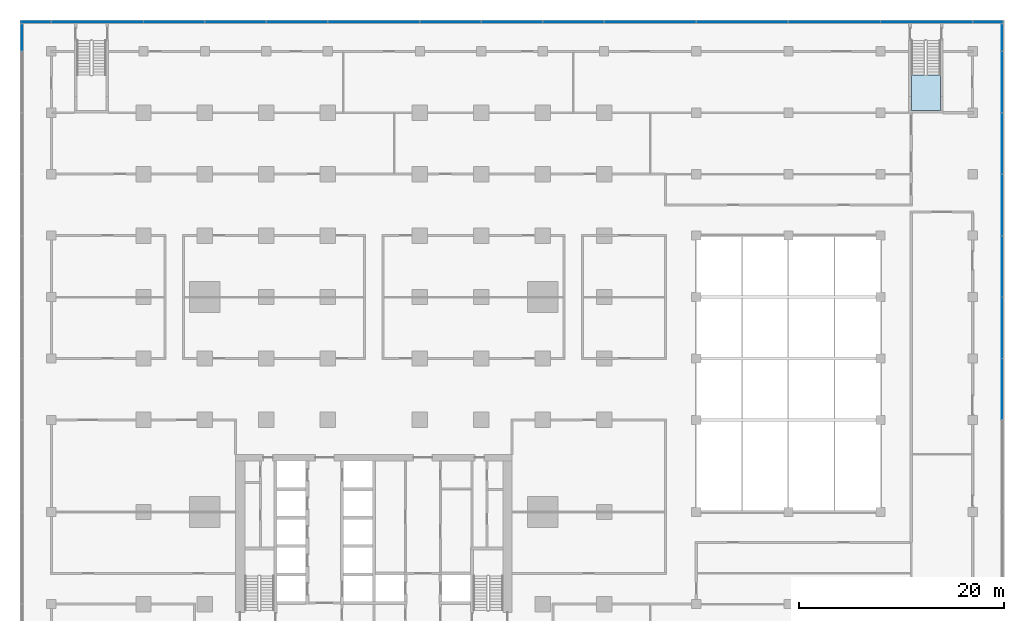
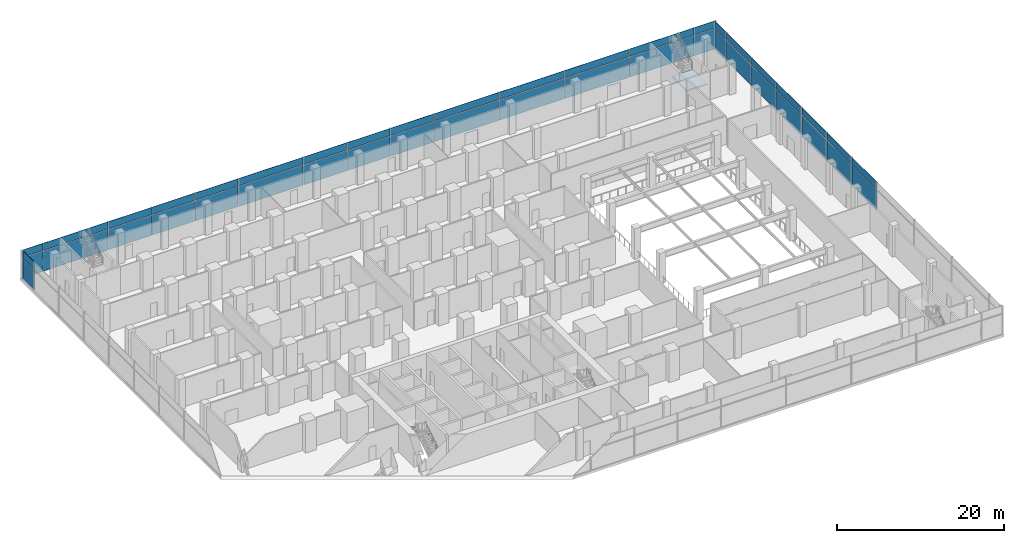
# One storey, part 11 of 22: 44 plates, 1 slab, 4 elements without a shape of their own.
"""IFC4 building model written with IfcOpenShell, lengths in metres."""

import ifcopenshell
import ifcopenshell.guid

model = None  # the IFC model being written
_history = None  # IfcOwnerHistory: only IFC2X3 demands one
_inside = {}  # id of a spatial element -> (the spatial element, [elements in it])
_under = {}  # id of a project, library or spatial element -> (it, [spatial elements below it])
_declared = {}  # id of a project -> (the project, [libraries it declares])
_typed = {}  # id of a type object -> (the type object, [elements of that type])
_made_of = {}  # id of a material, layer set ... -> (it, [elements and type objects made of it])


def new_model(schema):
    """Start an empty IFC model of exactly this schema.

    Asked for "IFC4X3", IfcOpenShell would pick the latest addendum, in which some entities
    have other attributes; the version numbers below select the first issue.
    IFC2X3 requires an IfcOwnerHistory on every rooted entity: one is made here for all.
    """
    global model, _history
    if schema == "IFC4X3":
        model = ifcopenshell.file(schema_version=(4, 3, 0, 0))
    else:
        model = ifcopenshell.file(schema=schema)
    _inside.clear()
    _under.clear()
    _declared.clear()
    _typed.clear()
    _made_of.clear()
    _history = None
    if model.schema == "IFC2X3":
        org = make("IfcOrganization", Name="unknown")
        user = make(
            "IfcPersonAndOrganization",
            ThePerson=make("IfcPerson", FamilyName="unknown"),
            TheOrganization=org,
        )
        app = make(
            "IfcApplication",
            ApplicationDeveloper=org,
            Version="unknown",
            ApplicationFullName="unknown",
            ApplicationIdentifier="unknown",
        )
        _history = make(
            "IfcOwnerHistory",
            OwningUser=user,
            OwningApplication=app,
            ChangeAction="ADDED",
            CreationDate=0,
        )
    return model


def make(cls, **values):
    """One entity of the class cls with the attributes given. An attribute that is None is left unset."""
    return model.create_entity(
        cls, **{name: value for name, value in values.items() if value is not None}
    )


def rooted(cls, **values):
    """An entity with a GlobalId (a new one), such as an element, a storey or a relation."""
    return make(cls, GlobalId=ifcopenshell.guid.new(), OwnerHistory=_history, **values)


def si_unit(unit_type, name, prefix=None):
    """IfcSIUnit, for example si_unit("LENGTHUNIT", "METRE", prefix="MILLI")."""
    return make("IfcSIUnit", UnitType=unit_type, Prefix=prefix, Name=name)


def assignment(units):
    """IfcUnitAssignment: the units of a project."""
    return None if units is None else make("IfcUnitAssignment", Units=units)


def point(xyz):
    """IfcCartesianPoint."""
    return None if xyz is None else make("IfcCartesianPoint", Coordinates=xyz)


def direction(xyz):
    """IfcDirection."""
    return None if xyz is None else make("IfcDirection", DirectionRatios=xyz)


def frame(location, z_axis=None, x_axis=None):
    """IfcAxis2Placement3D, a coordinate frame: its origin and axes. An axis left out is left unset."""
    return make(
        "IfcAxis2Placement3D",
        Location=point(location),
        Axis=direction(z_axis),
        RefDirection=direction(x_axis),
    )


def frame_2d(location, x_axis=None):
    """IfcAxis2Placement2D, a coordinate frame in the plane: its origin and x axis."""
    return make(
        "IfcAxis2Placement2D", Location=point(location), RefDirection=direction(x_axis)
    )


def origin():
    """The frame at (0, 0, 0) with its axes left unset."""
    return frame((0.0, 0.0, 0.0))


def origin_2d():
    """The frame at (0, 0) in the plane with its x axis left unset."""
    return frame_2d((0.0, 0.0))


def place(relative_to, where):
    """IfcLocalPlacement: puts the frame where relative to a parent placement (None: the world)."""
    return make(
        "IfcLocalPlacement", PlacementRelTo=relative_to, RelativePlacement=where
    )


def context(
    kind, dimensions, precision=None, world=None, true_north=None, identifier=None
):
    """IfcGeometricRepresentationContext, for example the 3D "Model" context."""
    return make(
        "IfcGeometricRepresentationContext",
        ContextIdentifier=identifier,
        ContextType=kind,
        CoordinateSpaceDimension=dimensions,
        Precision=precision,
        WorldCoordinateSystem=world,
        TrueNorth=true_north,
    )


def subcontext(parent, identifier, kind, view, scale=None):
    """IfcGeometricRepresentationSubContext, for example "Body" below "Model"."""
    return make(
        "IfcGeometricRepresentationSubContext",
        ContextIdentifier=identifier,
        ContextType=kind,
        ParentContext=parent,
        TargetScale=scale,
        TargetView=view,
    )


def project(units=None, contexts=None):
    """IfcProject with its units and contexts."""
    return rooted(
        "IfcProject",
        Name="project",
        RepresentationContexts=contexts,
        UnitsInContext=assignment(units),
    )


def spatial(cls, under=None, at=None, **own):
    """A site, building, storey or space (cls), placed at a placement, below another one or the project."""
    s = rooted(cls, ObjectPlacement=at, **own)
    if under is not None:
        _under.setdefault(under.id(), (under, []))[1].append(s)
    return s


def polyline(points):
    """IfcPolyline through the points."""
    return make("IfcPolyline", Points=[point(p) for p in points])


def profile(cls, at=None, kind="AREA", **sizes):
    """A parametric profile (cls). Its sizes go by their IFC names, for example OverallWidth=200.0."""
    return make(cls, ProfileType=kind, Position=at, **sizes)


def rectangle(**sizes):
    """IfcRectangleProfileDef."""
    return profile("IfcRectangleProfileDef", **sizes)


def outline(outer, holes=None, kind="AREA"):
    """IfcArbitraryClosedProfileDef: a profile drawn as a closed curve; with holes, ...WithVoids."""
    if holes is None:
        return make("IfcArbitraryClosedProfileDef", ProfileType=kind, OuterCurve=outer)
    return make(
        "IfcArbitraryProfileDefWithVoids",
        ProfileType=kind,
        OuterCurve=outer,
        InnerCurves=holes,
    )


def extrude(swept, where, along, depth):
    """IfcExtrudedAreaSolid: the profile swept, set in the frame where, extruded along a direction by depth."""
    return make(
        "IfcExtrudedAreaSolid",
        SweptArea=swept,
        Position=where,
        ExtrudedDirection=direction(along),
        Depth=depth,
    )


def shape(context_of_items, identifier, shape_type, items):
    """IfcShapeRepresentation: the items that make up one representation, for example the "Body"."""
    return make(
        "IfcShapeRepresentation",
        ContextOfItems=context_of_items,
        RepresentationIdentifier=identifier,
        RepresentationType=shape_type,
        Items=items,
    )


def material(Name=None, Category=None):
    """IfcMaterial."""
    return make("IfcMaterial", Name=Name, Category=Category)


def layer(
    of_material, thickness, ventilated=None, Name=None, Category=None, Priority=None
):
    """IfcMaterialLayer: one layer of a wall or slab, of a material (None: an air gap)."""
    return make(
        "IfcMaterialLayer",
        Material=of_material,
        LayerThickness=thickness,
        IsVentilated=ventilated,
        Name=Name,
        Category=Category,
        Priority=Priority,
    )


def layer_set(layers, Name=None):
    """IfcMaterialLayerSet."""
    return make("IfcMaterialLayerSet", MaterialLayers=layers, LayerSetName=Name)


def made_of(thing, what):
    """Note that an element or type object is made of a material, layer set ...; save() writes the relation."""
    if what is not None:
        _made_of.setdefault(what.id(), (what, []))[1].append(thing)
    return thing


def type_object(cls, material=None, **own):
    """A type object (cls), such as IfcWallType, which elements share."""
    return made_of(rooted(cls, **own), material)


def element(
    cls,
    number,
    at=None,
    inside=None,
    cuts=None,
    type_object=None,
    material=None,
    context=None,
    identifier="Body",
    shape_type=None,
    held_by="IfcProductDefinitionShape",
    body=None,
    shapes=None,
    **own,
):
    """One element of the class cls, such as IfcWall. Its Tag is "e" and its number.

    at: its placement. inside: the storey or other place that contains it. cuts: it is an
    opening in that element (IfcRelVoidsElement). A single representation is given by context,
    identifier, shape_type and body (its items); several are given by shapes. held_by: the class
    of the entity that holds the representations. save() writes the other relations.
    """
    e = rooted(cls, Tag="e%d" % number, ObjectPlacement=at, **own)
    if body is not None:
        shapes = [shape(context, identifier, shape_type, body)]
    if shapes is not None:
        e.Representation = make(held_by, Representations=shapes)
    if inside is not None:
        _inside.setdefault(inside.id(), (inside, []))[1].append(e)
    if cuts is not None:
        rooted(
            "IfcRelVoidsElement", RelatingBuildingElement=cuts, RelatedOpeningElement=e
        )
    if type_object is not None:
        _typed.setdefault(type_object.id(), (type_object, []))[1].append(e)
    return made_of(e, material)


def aggregate(whole, parts):
    """IfcRelAggregates: a whole, such as a stair, and the parts it consists of."""
    return rooted("IfcRelAggregates", RelatingObject=whole, RelatedObjects=parts)


def save(model, path):
    """Write the relations noted so far, then the file.

    IfcRelAggregates (storeys below a building ...), IfcRelContainedInSpatialStructure (elements
    in a storey), IfcRelDefinesByType, IfcRelAssociatesMaterial and IfcRelDeclares: one each for
    every whole, place, type object, material and project.
    """
    for whole, parts in _under.values():
        aggregate(whole, parts)
    for where, things in _inside.values():
        rooted(
            "IfcRelContainedInSpatialStructure",
            RelatedElements=things,
            RelatingStructure=where,
        )
    for kind, things in _typed.values():
        rooted("IfcRelDefinesByType", RelatedObjects=things, RelatingType=kind)
    for what, things in _made_of.values():
        rooted("IfcRelAssociatesMaterial", RelatedObjects=things, RelatingMaterial=what)
    for by, libraries in _declared.values():
        rooted("IfcRelDeclares", RelatingContext=by, RelatedDefinitions=libraries)
    model.write(path)


model = new_model("IFC4")

# Units and contexts
model_context = context("Model", 3, precision=1e-05, world=origin(), true_north=direction((0.0, 1.0)))
body_context = subcontext(model_context, "Body", "Model", "MODEL_VIEW")
ifc_project = project(units=[si_unit("LENGTHUNIT", "METRE"), si_unit("AREAUNIT", "SQUARE_METRE"), si_unit("VOLUMEUNIT", "CUBIC_METRE"), si_unit("PLANEANGLEUNIT", "RADIAN"), si_unit("MASSUNIT", "GRAM", prefix="KILO")], contexts=[model_context])

# Site, building, storey
site_placement = place(None, origin())
site = spatial("IfcSite", under=ifc_project, at=site_placement, CompositionType="ELEMENT")
building_placement = place(site_placement, origin())
building = spatial("IfcBuilding", under=site, at=building_placement, Name="Finial Court Residences", CompositionType="ELEMENT")
storey_placement = place(building_placement, frame((0.0, 0.0, 28.0)))
storey = spatial("IfcBuildingStorey", under=building, at=storey_placement, Name="L05", CompositionType="ELEMENT", Elevation=28.0)

# Curtain wall, plates
ifc_material_1 = material(Name="Bronze anodised aluminium", Category="aluminium")
curtain_wall_type = type_object("IfcCurtainWallType", Name="Podium curtain wall", PredefinedType="NOTDEFINED", material=ifc_material_1)
curtain_wall_1_placement = place(storey_placement, origin())
curtain_wall_1 = element("IfcCurtainWall", 1, at=curtain_wall_1_placement, inside=storey, type_object=curtain_wall_type, Name="E-L05-CW-N1", PredefinedType="NOTDEFINED")
ifc_material_2 = material(Name="Clear low-e glass", Category="glass")
ifc_layer_1 = layer(ifc_material_2, 0.035888671875)
ifc_layer_set_1 = layer_set([ifc_layer_1], Name="CW5 vision glass 36")
plate_type = type_object("IfcPlateType", Name="CW5 vision glass 36", PredefinedType="CURTAIN_PANEL", material=ifc_layer_set_1)
plate_1_placement = place(storey_placement, frame((-32.97998046875, 34.35009765625, 0.0), z_axis=(0.0, 0.0, 1.0), x_axis=(1.0, 0.0, 0.0)))
plate_1 = element("IfcPlate", 2, at=plate_1_placement, type_object=plate_type, Name="CW5 glass 1.1", PredefinedType="CURTAIN_PANEL", context=body_context, shape_type="SweptSolid", body=[
    extrude(rectangle(XDim=2.8798828125, YDim=0.035888671875, at=origin_2d()), origin(), (0.0, 0.0, 1.0), 2.9599609375),
])
plate_2_placement = place(storey_placement, frame((-32.97998046875, 34.35009765625, 3.0400390625), z_axis=(0.0, 0.0, 1.0), x_axis=(1.0, 0.0, 0.0)))
plate_2 = element("IfcPlate", 3, at=plate_2_placement, type_object=plate_type, Name="CW5 glass 1.2", PredefinedType="CURTAIN_PANEL", context=body_context, shape_type="SweptSolid", body=[
    extrude(rectangle(XDim=2.8798828125, YDim=0.035888671875, at=origin_2d()), origin(), (0.0, 0.0, 1.0), 1.06005859375),
])
plate_3_placement = place(storey_placement, frame((-27.0, 34.35009765625, 0.0), z_axis=(0.0, 0.0, 1.0), x_axis=(1.0, 0.0, 0.0)))
plate_3 = element("IfcPlate", 4, at=plate_3_placement, type_object=plate_type, Name="CW5 glass 2.1", PredefinedType="CURTAIN_PANEL", context=body_context, shape_type="SweptSolid", body=[
    extrude(rectangle(XDim=8.919921875, YDim=0.035888671875, at=origin_2d()), origin(), (0.0, 0.0, 1.0), 2.9599609375),
])
plate_4_placement = place(storey_placement, frame((-27.0, 34.35009765625, 3.0400390625), z_axis=(0.0, 0.0, 1.0), x_axis=(1.0, 0.0, 0.0)))
plate_4 = element("IfcPlate", 5, at=plate_4_placement, type_object=plate_type, Name="CW5 glass 2.2", PredefinedType="CURTAIN_PANEL", context=body_context, shape_type="SweptSolid", body=[
    extrude(rectangle(XDim=8.919921875, YDim=0.035888671875, at=origin_2d()), origin(), (0.0, 0.0, 1.0), 1.06005859375),
])
plate_5_placement = place(storey_placement, frame((-19.5, 34.35009765625, 0.0), z_axis=(0.0, 0.0, 1.0), x_axis=(1.0, 0.0, 0.0)))
plate_5 = element("IfcPlate", 6, at=plate_5_placement, type_object=plate_type, Name="CW5 glass 3.1", PredefinedType="CURTAIN_PANEL", context=body_context, shape_type="SweptSolid", body=[
    extrude(rectangle(XDim=5.919921875, YDim=0.035888671875, at=origin_2d()), origin(), (0.0, 0.0, 1.0), 2.9599609375),
])
plate_6_placement = place(storey_placement, frame((-19.5, 34.35009765625, 3.0400390625), z_axis=(0.0, 0.0, 1.0), x_axis=(1.0, 0.0, 0.0)))
plate_6 = element("IfcPlate", 7, at=plate_6_placement, type_object=plate_type, Name="CW5 glass 3.2", PredefinedType="CURTAIN_PANEL", context=body_context, shape_type="SweptSolid", body=[
    extrude(rectangle(XDim=5.919921875, YDim=0.035888671875, at=origin_2d()), origin(), (0.0, 0.0, 1.0), 1.06005859375),
])
plate_7_placement = place(storey_placement, frame((-13.5, 34.35009765625, 0.0), z_axis=(0.0, 0.0, 1.0), x_axis=(1.0, 0.0, 0.0)))
plate_7 = element("IfcPlate", 8, at=plate_7_placement, type_object=plate_type, Name="CW5 glass 4.1", PredefinedType="CURTAIN_PANEL", context=body_context, shape_type="SweptSolid", body=[
    extrude(rectangle(XDim=5.919921875, YDim=0.035888671875, at=origin_2d()), origin(), (0.0, 0.0, 1.0), 2.9599609375),
])
plate_8_placement = place(storey_placement, frame((-13.5, 34.35009765625, 3.0400390625), z_axis=(0.0, 0.0, 1.0), x_axis=(1.0, 0.0, 0.0)))
plate_8 = element("IfcPlate", 9, at=plate_8_placement, type_object=plate_type, Name="CW5 glass 4.2", PredefinedType="CURTAIN_PANEL", context=body_context, shape_type="SweptSolid", body=[
    extrude(rectangle(XDim=5.919921875, YDim=0.035888671875, at=origin_2d()), origin(), (0.0, 0.0, 1.0), 1.06005859375),
])
plate_9_placement = place(storey_placement, frame((-7.5, 34.35009765625, 0.0), z_axis=(0.0, 0.0, 1.0), x_axis=(1.0, 0.0, 0.0)))
plate_9 = element("IfcPlate", 10, at=plate_9_placement, type_object=plate_type, Name="CW5 glass 5.1", PredefinedType="CURTAIN_PANEL", context=body_context, shape_type="SweptSolid", body=[
    extrude(rectangle(XDim=5.919921875, YDim=0.035888671875, at=origin_2d()), origin(), (0.0, 0.0, 1.0), 2.9599609375),
])
plate_10_placement = place(storey_placement, frame((-7.5, 34.35009765625, 3.0400390625), z_axis=(0.0, 0.0, 1.0), x_axis=(1.0, 0.0, 0.0)))
plate_10 = element("IfcPlate", 11, at=plate_10_placement, type_object=plate_type, Name="CW5 glass 5.2", PredefinedType="CURTAIN_PANEL", context=body_context, shape_type="SweptSolid", body=[
    extrude(rectangle(XDim=5.919921875, YDim=0.035888671875, at=origin_2d()), origin(), (0.0, 0.0, 1.0), 1.06005859375),
])
plate_11_placement = place(storey_placement, frame((0.0, 34.35009765625, 0.0), z_axis=(0.0, 0.0, 1.0), x_axis=(1.0, 0.0, 0.0)))
plate_11 = element("IfcPlate", 12, at=plate_11_placement, type_object=plate_type, Name="CW5 glass 6.1", PredefinedType="CURTAIN_PANEL", context=body_context, shape_type="SweptSolid", body=[
    extrude(rectangle(XDim=8.919921875, YDim=0.035888671875, at=origin_2d()), origin(), (0.0, 0.0, 1.0), 2.9599609375),
])
plate_12_placement = place(storey_placement, frame((0.0, 34.35009765625, 3.0400390625), z_axis=(0.0, 0.0, 1.0), x_axis=(1.0, 0.0, 0.0)))
plate_12 = element("IfcPlate", 13, at=plate_12_placement, type_object=plate_type, Name="CW5 glass 6.2", PredefinedType="CURTAIN_PANEL", context=body_context, shape_type="SweptSolid", body=[
    extrude(rectangle(XDim=8.919921875, YDim=0.035888671875, at=origin_2d()), origin(), (0.0, 0.0, 1.0), 1.06005859375),
])
plate_13_placement = place(storey_placement, frame((7.5, 34.35009765625, 0.0), z_axis=(0.0, 0.0, 1.0), x_axis=(1.0, 0.0, 0.0)))
plate_13 = element("IfcPlate", 14, at=plate_13_placement, type_object=plate_type, Name="CW5 glass 7.1", PredefinedType="CURTAIN_PANEL", context=body_context, shape_type="SweptSolid", body=[
    extrude(rectangle(XDim=5.919921875, YDim=0.035888671875, at=origin_2d()), origin(), (0.0, 0.0, 1.0), 2.9599609375),
])
plate_14_placement = place(storey_placement, frame((7.5, 34.35009765625, 3.0400390625), z_axis=(0.0, 0.0, 1.0), x_axis=(1.0, 0.0, 0.0)))
plate_14 = element("IfcPlate", 15, at=plate_14_placement, type_object=plate_type, Name="CW5 glass 7.2", PredefinedType="CURTAIN_PANEL", context=body_context, shape_type="SweptSolid", body=[
    extrude(rectangle(XDim=5.919921875, YDim=0.035888671875, at=origin_2d()), origin(), (0.0, 0.0, 1.0), 1.06005859375),
])
plate_15_placement = place(storey_placement, frame((13.5, 34.35009765625, 0.0), z_axis=(0.0, 0.0, 1.0), x_axis=(1.0, 0.0, 0.0)))
plate_15 = element("IfcPlate", 16, at=plate_15_placement, type_object=plate_type, Name="CW5 glass 8.1", PredefinedType="CURTAIN_PANEL", context=body_context, shape_type="SweptSolid", body=[
    extrude(rectangle(XDim=5.919921875, YDim=0.035888671875, at=origin_2d()), origin(), (0.0, 0.0, 1.0), 2.9599609375),
])
plate_16_placement = place(storey_placement, frame((13.5, 34.35009765625, 3.0400390625), z_axis=(0.0, 0.0, 1.0), x_axis=(1.0, 0.0, 0.0)))
plate_16 = element("IfcPlate", 17, at=plate_16_placement, type_object=plate_type, Name="CW5 glass 8.2", PredefinedType="CURTAIN_PANEL", context=body_context, shape_type="SweptSolid", body=[
    extrude(rectangle(XDim=5.919921875, YDim=0.035888671875, at=origin_2d()), origin(), (0.0, 0.0, 1.0), 1.06005859375),
])
plate_17_placement = place(storey_placement, frame((19.5, 34.35009765625, 0.0), z_axis=(0.0, 0.0, 1.0), x_axis=(1.0, 0.0, 0.0)))
plate_17 = element("IfcPlate", 18, at=plate_17_placement, type_object=plate_type, Name="CW5 glass 9.1", PredefinedType="CURTAIN_PANEL", context=body_context, shape_type="SweptSolid", body=[
    extrude(rectangle(XDim=5.919921875, YDim=0.035888671875, at=origin_2d()), origin(), (0.0, 0.0, 1.0), 2.9599609375),
])
plate_18_placement = place(storey_placement, frame((19.5, 34.35009765625, 3.0400390625), z_axis=(0.0, 0.0, 1.0), x_axis=(1.0, 0.0, 0.0)))
plate_18 = element("IfcPlate", 19, at=plate_18_placement, type_object=plate_type, Name="CW5 glass 9.2", PredefinedType="CURTAIN_PANEL", context=body_context, shape_type="SweptSolid", body=[
    extrude(rectangle(XDim=5.919921875, YDim=0.035888671875, at=origin_2d()), origin(), (0.0, 0.0, 1.0), 1.06005859375),
])
plate_19_placement = place(storey_placement, frame((27.0, 34.35009765625, 0.0), z_axis=(0.0, 0.0, 1.0), x_axis=(1.0, 0.0, 0.0)))
plate_19 = element("IfcPlate", 20, at=plate_19_placement, type_object=plate_type, Name="CW5 glass 10.1", PredefinedType="CURTAIN_PANEL", context=body_context, shape_type="SweptSolid", body=[
    extrude(rectangle(XDim=8.919921875, YDim=0.035888671875, at=origin_2d()), origin(), (0.0, 0.0, 1.0), 2.9599609375),
])
plate_20_placement = place(storey_placement, frame((27.0, 34.35009765625, 3.0400390625), z_axis=(0.0, 0.0, 1.0), x_axis=(1.0, 0.0, 0.0)))
plate_20 = element("IfcPlate", 21, at=plate_20_placement, type_object=plate_type, Name="CW5 glass 10.2", PredefinedType="CURTAIN_PANEL", context=body_context, shape_type="SweptSolid", body=[
    extrude(rectangle(XDim=8.919921875, YDim=0.035888671875, at=origin_2d()), origin(), (0.0, 0.0, 1.0), 1.06005859375),
])
plate_21_placement = place(storey_placement, frame((36.0, 34.35009765625, 0.0), z_axis=(0.0, 0.0, 1.0), x_axis=(1.0, 0.0, 0.0)))
plate_21 = element("IfcPlate", 22, at=plate_21_placement, type_object=plate_type, Name="CW5 glass 11.1", PredefinedType="CURTAIN_PANEL", context=body_context, shape_type="SweptSolid", body=[
    extrude(rectangle(XDim=8.919921875, YDim=0.035888671875, at=origin_2d()), origin(), (0.0, 0.0, 1.0), 2.9599609375),
])
plate_22_placement = place(storey_placement, frame((36.0, 34.35009765625, 3.0400390625), z_axis=(0.0, 0.0, 1.0), x_axis=(1.0, 0.0, 0.0)))
plate_22 = element("IfcPlate", 23, at=plate_22_placement, type_object=plate_type, Name="CW5 glass 11.2", PredefinedType="CURTAIN_PANEL", context=body_context, shape_type="SweptSolid", body=[
    extrude(rectangle(XDim=8.919921875, YDim=0.035888671875, at=origin_2d()), origin(), (0.0, 0.0, 1.0), 1.06005859375),
])
plate_23_placement = place(storey_placement, frame((45.0, 34.35009765625, 0.0), z_axis=(0.0, 0.0, 1.0), x_axis=(1.0, 0.0, 0.0)))
plate_23 = element("IfcPlate", 24, at=plate_23_placement, type_object=plate_type, Name="CW5 glass 12.1", PredefinedType="CURTAIN_PANEL", context=body_context, shape_type="SweptSolid", body=[
    extrude(rectangle(XDim=8.919921875, YDim=0.035888671875, at=origin_2d()), origin(), (0.0, 0.0, 1.0), 2.9599609375),
])
plate_24_placement = place(storey_placement, frame((45.0, 34.35009765625, 3.0400390625), z_axis=(0.0, 0.0, 1.0), x_axis=(1.0, 0.0, 0.0)))
plate_24 = element("IfcPlate", 25, at=plate_24_placement, type_object=plate_type, Name="CW5 glass 12.2", PredefinedType="CURTAIN_PANEL", context=body_context, shape_type="SweptSolid", body=[
    extrude(rectangle(XDim=8.919921875, YDim=0.035888671875, at=origin_2d()), origin(), (0.0, 0.0, 1.0), 1.06005859375),
])
plate_25_placement = place(storey_placement, frame((54.0, 34.35009765625, 0.0), z_axis=(0.0, 0.0, 1.0), x_axis=(1.0, 0.0, 0.0)))
plate_25 = element("IfcPlate", 26, at=plate_25_placement, type_object=plate_type, Name="CW5 glass 13.1", PredefinedType="CURTAIN_PANEL", context=body_context, shape_type="SweptSolid", body=[
    extrude(rectangle(XDim=8.919921875, YDim=0.035888671875, at=origin_2d()), origin(), (0.0, 0.0, 1.0), 2.9599609375),
])
plate_26_placement = place(storey_placement, frame((54.0, 34.35009765625, 3.0400390625), z_axis=(0.0, 0.0, 1.0), x_axis=(1.0, 0.0, 0.0)))
plate_26 = element("IfcPlate", 27, at=plate_26_placement, type_object=plate_type, Name="CW5 glass 13.2", PredefinedType="CURTAIN_PANEL", context=body_context, shape_type="SweptSolid", body=[
    extrude(rectangle(XDim=8.919921875, YDim=0.035888671875, at=origin_2d()), origin(), (0.0, 0.0, 1.0), 1.06005859375),
])
plate_27_placement = place(storey_placement, frame((59.97998046875, 34.35009765625, 0.0), z_axis=(0.0, 0.0, 1.0), x_axis=(1.0, 0.0, 0.0)))
plate_27 = element("IfcPlate", 28, at=plate_27_placement, type_object=plate_type, Name="CW5 glass 14.1", PredefinedType="CURTAIN_PANEL", context=body_context, shape_type="SweptSolid", body=[
    extrude(rectangle(XDim=2.8798828125, YDim=0.035888671875, at=origin_2d()), origin(), (0.0, 0.0, 1.0), 2.9599609375),
])
plate_28_placement = place(storey_placement, frame((59.97998046875, 34.35009765625, 3.0400390625), z_axis=(0.0, 0.0, 1.0), x_axis=(1.0, 0.0, 0.0)))
plate_28 = element("IfcPlate", 29, at=plate_28_placement, type_object=plate_type, Name="CW5 glass 14.2", PredefinedType="CURTAIN_PANEL", context=body_context, shape_type="SweptSolid", body=[
    extrude(rectangle(XDim=2.8798828125, YDim=0.035888671875, at=origin_2d()), origin(), (0.0, 0.0, 1.0), 1.06005859375),
])
aggregate(curtain_wall_1, [plate_1, plate_2, plate_3, plate_4, plate_5, plate_6, plate_7, plate_8, plate_9, plate_10, plate_11, plate_12, plate_13, plate_14, plate_15, plate_16, plate_17, plate_18, plate_19, plate_20, plate_21, plate_22, plate_23, plate_24, plate_25, plate_26, plate_27, plate_28])

curtain_wall_2_placement = place(storey_placement, origin())
curtain_wall_2 = element("IfcCurtainWall", 30, at=curtain_wall_2_placement, inside=storey, type_object=curtain_wall_type, Name="E-L05-CW-E2", PredefinedType="NOTDEFINED")
plate_29_placement = place(storey_placement, frame((61.35009765625, -1.5, 0.0), z_axis=(0.0, 0.0, 1.0), x_axis=(0.0, 1.0, 0.0)))
plate_29 = element("IfcPlate", 31, at=plate_29_placement, type_object=plate_type, Name="CW5 glass 5.1", PredefinedType="CURTAIN_PANEL", context=body_context, shape_type="SweptSolid", body=[
    extrude(rectangle(XDim=5.919921875, YDim=0.035888671875, at=origin_2d()), origin(), (0.0, 0.0, 1.0), 2.9599609375),
])
plate_30_placement = place(storey_placement, frame((61.35009765625, -1.5, 3.0400390625), z_axis=(0.0, 0.0, 1.0), x_axis=(0.0, 1.0, 0.0)))
plate_30 = element("IfcPlate", 32, at=plate_30_placement, type_object=plate_type, Name="CW5 glass 5.2", PredefinedType="CURTAIN_PANEL", context=body_context, shape_type="SweptSolid", body=[
    extrude(rectangle(XDim=5.919921875, YDim=0.035888671875, at=origin_2d()), origin(), (0.0, 0.0, 1.0), 1.06005859375),
])
plate_31_placement = place(storey_placement, frame((61.35009765625, 4.5, 0.0), z_axis=(0.0, 0.0, 1.0), x_axis=(0.0, 1.0, 0.0)))
plate_31 = element("IfcPlate", 33, at=plate_31_placement, type_object=plate_type, Name="CW5 glass 6.1", PredefinedType="CURTAIN_PANEL", context=body_context, shape_type="SweptSolid", body=[
    extrude(rectangle(XDim=5.919921875, YDim=0.035888671875, at=origin_2d()), origin(), (0.0, 0.0, 1.0), 2.9599609375),
])
plate_32_placement = place(storey_placement, frame((61.35009765625, 4.5, 3.0400390625), z_axis=(0.0, 0.0, 1.0), x_axis=(0.0, 1.0, 0.0)))
plate_32 = element("IfcPlate", 34, at=plate_32_placement, type_object=plate_type, Name="CW5 glass 6.2", PredefinedType="CURTAIN_PANEL", context=body_context, shape_type="SweptSolid", body=[
    extrude(rectangle(XDim=5.919921875, YDim=0.035888671875, at=origin_2d()), origin(), (0.0, 0.0, 1.0), 1.06005859375),
])
plate_33_placement = place(storey_placement, frame((61.35009765625, 10.5, 0.0), z_axis=(0.0, 0.0, 1.0), x_axis=(0.0, 1.0, 0.0)))
plate_33 = element("IfcPlate", 35, at=plate_33_placement, type_object=plate_type, Name="CW5 glass 7.1", PredefinedType="CURTAIN_PANEL", context=body_context, shape_type="SweptSolid", body=[
    extrude(rectangle(XDim=5.919921875, YDim=0.035888671875, at=origin_2d()), origin(), (0.0, 0.0, 1.0), 2.9599609375),
])
plate_34_placement = place(storey_placement, frame((61.35009765625, 10.5, 3.0400390625), z_axis=(0.0, 0.0, 1.0), x_axis=(0.0, 1.0, 0.0)))
plate_34 = element("IfcPlate", 36, at=plate_34_placement, type_object=plate_type, Name="CW5 glass 7.2", PredefinedType="CURTAIN_PANEL", context=body_context, shape_type="SweptSolid", body=[
    extrude(rectangle(XDim=5.919921875, YDim=0.035888671875, at=origin_2d()), origin(), (0.0, 0.0, 1.0), 1.06005859375),
])
plate_35_placement = place(storey_placement, frame((61.35009765625, 16.5, 0.0), z_axis=(0.0, 0.0, 1.0), x_axis=(0.0, 1.0, 0.0)))
plate_35 = element("IfcPlate", 37, at=plate_35_placement, type_object=plate_type, Name="CW5 glass 8.1", PredefinedType="CURTAIN_PANEL", context=body_context, shape_type="SweptSolid", body=[
    extrude(rectangle(XDim=5.919921875, YDim=0.035888671875, at=origin_2d()), origin(), (0.0, 0.0, 1.0), 2.9599609375),
])
plate_36_placement = place(storey_placement, frame((61.35009765625, 16.5, 3.0400390625), z_axis=(0.0, 0.0, 1.0), x_axis=(0.0, 1.0, 0.0)))
plate_36 = element("IfcPlate", 38, at=plate_36_placement, type_object=plate_type, Name="CW5 glass 8.2", PredefinedType="CURTAIN_PANEL", context=body_context, shape_type="SweptSolid", body=[
    extrude(rectangle(XDim=5.919921875, YDim=0.035888671875, at=origin_2d()), origin(), (0.0, 0.0, 1.0), 1.06005859375),
])
plate_37_placement = place(storey_placement, frame((61.35009765625, 22.5, 0.0), z_axis=(0.0, 0.0, 1.0), x_axis=(0.0, 1.0, 0.0)))
plate_37 = element("IfcPlate", 39, at=plate_37_placement, type_object=plate_type, Name="CW5 glass 9.1", PredefinedType="CURTAIN_PANEL", context=body_context, shape_type="SweptSolid", body=[
    extrude(rectangle(XDim=5.919921875, YDim=0.035888671875, at=origin_2d()), origin(), (0.0, 0.0, 1.0), 2.9599609375),
])
plate_38_placement = place(storey_placement, frame((61.35009765625, 22.5, 3.0400390625), z_axis=(0.0, 0.0, 1.0), x_axis=(0.0, 1.0, 0.0)))
plate_38 = element("IfcPlate", 40, at=plate_38_placement, type_object=plate_type, Name="CW5 glass 9.2", PredefinedType="CURTAIN_PANEL", context=body_context, shape_type="SweptSolid", body=[
    extrude(rectangle(XDim=5.919921875, YDim=0.035888671875, at=origin_2d()), origin(), (0.0, 0.0, 1.0), 1.06005859375),
])
plate_39_placement = place(storey_placement, frame((61.35009765625, 28.5, 0.0), z_axis=(0.0, 0.0, 1.0), x_axis=(0.0, 1.0, 0.0)))
plate_39 = element("IfcPlate", 41, at=plate_39_placement, type_object=plate_type, Name="CW5 glass 10.1", PredefinedType="CURTAIN_PANEL", context=body_context, shape_type="SweptSolid", body=[
    extrude(rectangle(XDim=5.919921875, YDim=0.035888671875, at=origin_2d()), origin(), (0.0, 0.0, 1.0), 2.9599609375),
])
plate_40_placement = place(storey_placement, frame((61.35009765625, 28.5, 3.0400390625), z_axis=(0.0, 0.0, 1.0), x_axis=(0.0, 1.0, 0.0)))
plate_40 = element("IfcPlate", 42, at=plate_40_placement, type_object=plate_type, Name="CW5 glass 10.2", PredefinedType="CURTAIN_PANEL", context=body_context, shape_type="SweptSolid", body=[
    extrude(rectangle(XDim=5.919921875, YDim=0.035888671875, at=origin_2d()), origin(), (0.0, 0.0, 1.0), 1.06005859375),
])
plate_41_placement = place(storey_placement, frame((61.35009765625, 32.8486328125, 0.0), z_axis=(0.0, 0.0, 1.0), x_axis=(0.0, 1.0, 0.0)))
plate_41 = element("IfcPlate", 43, at=plate_41_placement, type_object=plate_type, Name="CW5 glass 11.1", PredefinedType="CURTAIN_PANEL", context=body_context, shape_type="SweptSolid", body=[
    extrude(rectangle(XDim=2.617431640625, YDim=0.035888671875, at=origin_2d()), origin(), (0.0, 0.0, 1.0), 2.9599609375),
])
plate_42_placement = place(storey_placement, frame((61.35009765625, 32.8486328125, 3.0400390625), z_axis=(0.0, 0.0, 1.0), x_axis=(0.0, 1.0, 0.0)))
plate_42 = element("IfcPlate", 44, at=plate_42_placement, type_object=plate_type, Name="CW5 glass 11.2", PredefinedType="CURTAIN_PANEL", context=body_context, shape_type="SweptSolid", body=[
    extrude(rectangle(XDim=2.617431640625, YDim=0.035888671875, at=origin_2d()), origin(), (0.0, 0.0, 1.0), 1.06005859375),
])
aggregate(curtain_wall_2, [plate_29, plate_30, plate_31, plate_32, plate_33, plate_34, plate_35, plate_36, plate_37, plate_38, plate_39, plate_40, plate_41, plate_42])

curtain_wall_3_placement = place(storey_placement, origin())
curtain_wall_3 = element("IfcCurtainWall", 45, at=curtain_wall_3_placement, inside=storey, type_object=curtain_wall_type, Name="E-L05-CW-W4", PredefinedType="NOTDEFINED")
plate_43_placement = place(storey_placement, frame((-34.35009765625, 32.8486328125, 0.0), z_axis=(0.0, 0.0, 1.0), x_axis=(0.0, 1.0, 0.0)))
plate_43 = element("IfcPlate", 46, at=plate_43_placement, type_object=plate_type, Name="CW5 glass 11.1", PredefinedType="CURTAIN_PANEL", context=body_context, shape_type="SweptSolid", body=[
    extrude(rectangle(XDim=2.617431640625, YDim=0.035888671875, at=origin_2d()), origin(), (0.0, 0.0, 1.0), 2.9599609375),
])
plate_44_placement = place(storey_placement, frame((-34.35009765625, 32.8486328125, 3.0400390625), z_axis=(0.0, 0.0, 1.0), x_axis=(0.0, 1.0, 0.0)))
plate_44 = element("IfcPlate", 47, at=plate_44_placement, type_object=plate_type, Name="CW5 glass 11.2", PredefinedType="CURTAIN_PANEL", context=body_context, shape_type="SweptSolid", body=[
    extrude(rectangle(XDim=2.617431640625, YDim=0.035888671875, at=origin_2d()), origin(), (0.0, 0.0, 1.0), 1.06005859375),
])
aggregate(curtain_wall_3, [plate_43, plate_44])

# Stair, slab
ifc_material_3 = material(Name="Concrete C50/60", Category="concrete")
stair_type = type_object("IfcStairType", Name="Exit stair 26 risers of 173.1 mm", PredefinedType="HALF_TURN_STAIR", material=ifc_material_3)
stair_placement = place(storey_placement, origin())
stair = element("IfcStair", 48, at=stair_placement, inside=storey, type_object=stair_type, Name="L05 Exit Stair 5", PredefinedType="HALF_TURN_STAIR")
ifc_layer_2 = layer(ifc_material_3, 0.199951171875)
ifc_layer_set_2 = layer_set([ifc_layer_2], Name="Exit stair landing")
slab_type = type_object("IfcSlabType", Name="Exit stair landing", PredefinedType="LANDING", material=ifc_layer_set_2)
slab_placement = place(storey_placement, frame((0.0, 0.0, 2.050048828125)))
slab = element("IfcSlab", 49, at=slab_placement, type_object=slab_type, Name="ST-5 landing 1", PredefinedType="LANDING", context=body_context, shape_type="SweptSolid", body=[
    extrude(outline(polyline([(52.5, 29.18994140625), (52.5, 25.719970703125), (55.35009765625, 25.719970703125), (55.35009765625, 29.18994140625), (52.5, 29.18994140625)])), origin(), (0.0, 0.0, 1.0), 0.199951171875),
])
aggregate(stair, [slab])

save(model, "model.ifc")
